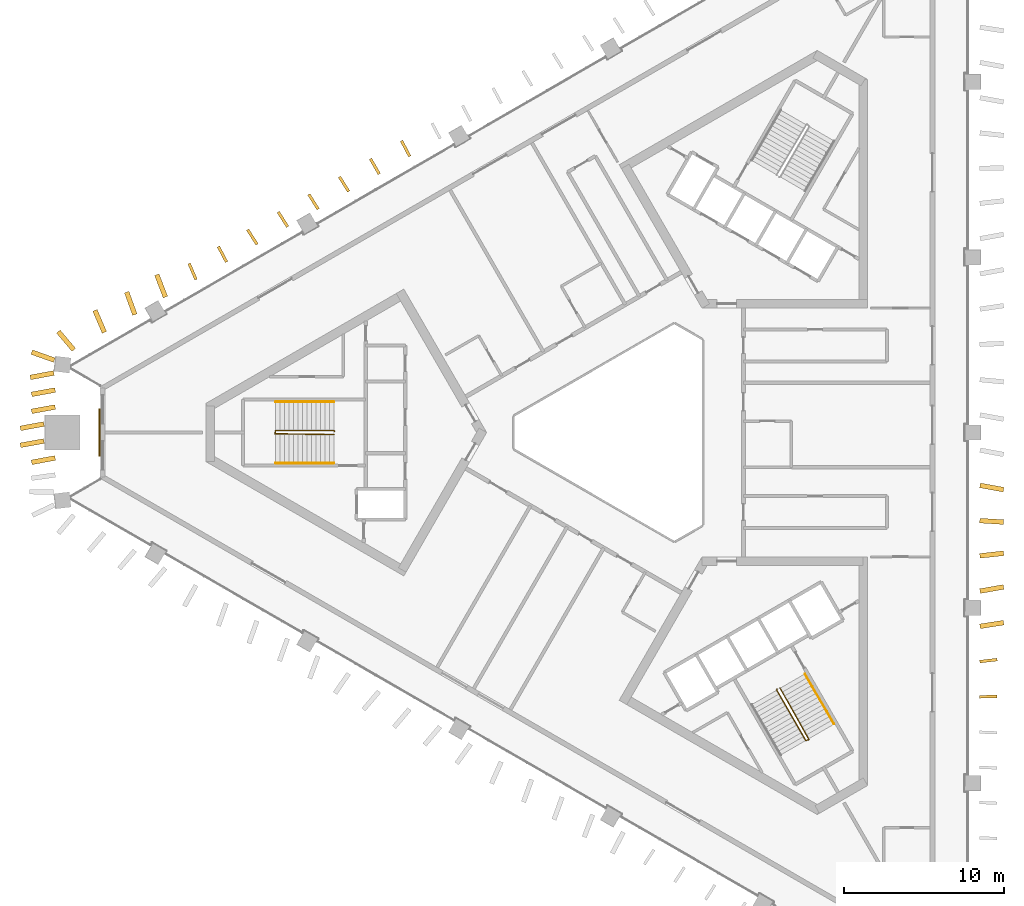
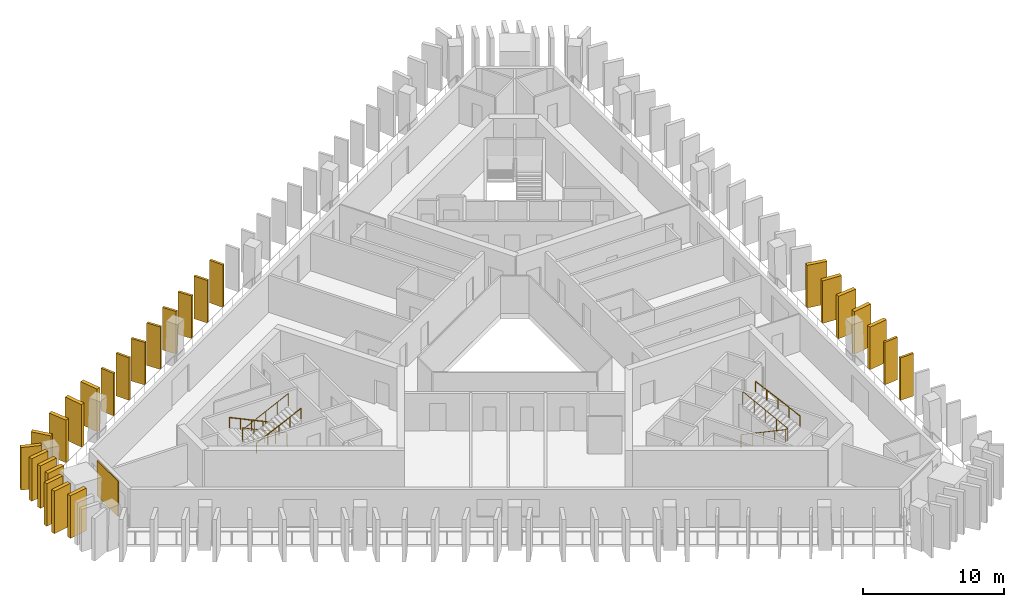
# One storey, part 8 of 10: 26 shading devices, 5 railings, 1 covering.
"""IFC4 building model written with IfcOpenShell, lengths in metres."""

from ifc_helpers import new_model, si_unit, direction, frame, frame_2d, origin, origin_2d, place, context, subcontext, project, spatial, rectangle, circle, extrude, material, layer, layer_set, type_object, element, save


model = new_model("IFC4")

# Units and contexts
model_context = context("Model", 3, precision=1e-05, world=origin(), true_north=direction((0.0, 1.0)))
body_context = subcontext(model_context, "Body", "Model", "MODEL_VIEW")
ifc_project = project(units=[si_unit("LENGTHUNIT", "METRE"), si_unit("AREAUNIT", "SQUARE_METRE"), si_unit("VOLUMEUNIT", "CUBIC_METRE"), si_unit("PLANEANGLEUNIT", "RADIAN"), si_unit("MASSUNIT", "GRAM", prefix="KILO")], contexts=[model_context])

# Site, building, storey
site_placement = place(None, origin())
site = spatial("IfcSite", under=ifc_project, at=site_placement, CompositionType="ELEMENT")
building_placement = place(site_placement, origin())
building = spatial("IfcBuilding", under=site, at=building_placement, Name="Jabali Bay Hotel Tower and Convention Centre", CompositionType="ELEMENT")
storey_placement = place(building_placement, frame((0.0, 0.0, 156.300048828125)))
storey = spatial("IfcBuildingStorey", under=building, at=storey_placement, Name="L37", CompositionType="ELEMENT", Elevation=156.300048828125)

# Shading devices
ifc_material_1 = material(Name="Precast concrete C60", Category="concrete")
ifc_layer_1 = layer(ifc_material_1, 0.179931640625)
ifc_layer_set_1 = layer_set([ifc_layer_1], Name="Precast concrete C60")
shading_device_type_1 = type_object("IfcShadingDeviceType", Name="Precast fin 3680 x 1100", PredefinedType="USERDEFINED", material=ifc_layer_set_1)
for number, where, z_axis, x_axis, name in (
    (1, (96.902099609375, 63.43115234375, 0.010009765625), (0.0, 0.0, 1.0), (0.999772925816, 0.021309547264, 0.0), "Fin L37 005"),
    (2, (96.910400390625, 65.640380859375, 0.010009765625), (0.0, 0.0, 1.0), (0.99357125103, 0.11320852056, 0.0), "Fin L37 006"),
):
    element("IfcShadingDevice", number, at=place(storey_placement, frame(where, z_axis=z_axis, x_axis=x_axis)), inside=storey, type_object=shading_device_type_1, Name=name, ObjectType="FIN", PredefinedType="USERDEFINED", context=body_context, shape_type="SweptSolid", body=[
        extrude(rectangle(XDim=1.099853515625, YDim=0.179931640625, at=frame_2d((0.5498046875, 0.0))), origin(), (0.0, 0.0, 1.0), 3.679931640625),
    ])
for number, where, z_axis, x_axis, name in (
    (3, (61.178466796875, 97.31201171875, 0.010009765625), (0.0, 0.0, 1.0), (-0.467867325032, 0.883798713604, 0.0), "Fin L37 048"),
    (4, (59.266845703125, 96.20458984375, 0.010009765625), (0.0, 0.0, 1.0), (-0.500458765049, 0.865760373594, 0.0), "Fin L37 049"),
    (5, (57.35205078125, 95.10302734375, 0.010009765625), (0.0, 0.0, 1.0), (-0.532012444027, 0.846736534821, 0.0), "Fin L37 050"),
):
    element("IfcShadingDevice", number, at=place(storey_placement, frame(where, z_axis=z_axis, x_axis=x_axis)), inside=storey, type_object=shading_device_type_1, Name=name, ObjectType="FIN", PredefinedType="USERDEFINED", context=body_context, shape_type="SweptSolid", body=[
        extrude(rectangle(XDim=1.10009765625, YDim=0.179931640625, at=frame_2d((0.550048828125, 0.0))), origin(), (0.0, 0.0, 1.0), 3.679931640625),
    ])
shading_device_1_placement = place(storey_placement, frame((55.438720703125, 93.998291015625, 0.010009765625), z_axis=(0.0, 0.0, 1.0), x_axis=(-0.532689641282, 0.846310667587, 0.0)))
element("IfcShadingDevice", 6, at=shading_device_1_placement, inside=storey, type_object=shading_device_type_1, Name="Fin L37 051", ObjectType="FIN", PredefinedType="USERDEFINED", context=body_context, shape_type="SweptSolid", body=[
    extrude(rectangle(XDim=1.099853515625, YDim=0.179931640625, at=frame_2d((0.5498046875, 0.0))), origin(), (0.0, 0.0, 1.0), 3.679931640625),
])
for number, where, z_axis, x_axis, name in (
    (7, (53.525390625, 92.89404296875, 0.010009765625), (0.0, 0.0, 1.0), (-0.535294932404, 0.844665220867, 0.0), "Fin L37 052"),
    (8, (51.61181640625, 91.7900390625, 0.010009765625), (0.0, 0.0, 1.0), (-0.542606994058, 0.839986696323, 0.0), "Fin L37 053"),
):
    element("IfcShadingDevice", number, at=place(storey_placement, frame(where, z_axis=z_axis, x_axis=x_axis)), inside=storey, type_object=shading_device_type_1, Name=name, ObjectType="FIN", PredefinedType="USERDEFINED", context=body_context, shape_type="SweptSolid", body=[
        extrude(rectangle(XDim=1.10009765625, YDim=0.179931640625, at=frame_2d((0.550048828125, 0.0))), origin(), (0.0, 0.0, 1.0), 3.679931640625),
    ])
for number, where, z_axis, x_axis, name in (
    (9, (49.69921875, 90.6845703125, 0.010009765625), (0.0, 0.0, 1.0), (-0.468132468211, 0.883658300593, 0.0), "Fin L37 054"),
    (10, (47.782470703125, 89.586181640625, 0.010009765625), (0.0, 0.0, 1.0), (-0.395525965419, 0.91845479512, 0.0), "Fin L37 055"),
):
    element("IfcShadingDevice", number, at=place(storey_placement, frame(where, z_axis=z_axis, x_axis=x_axis)), inside=storey, type_object=shading_device_type_1, Name=name, ObjectType="FIN", PredefinedType="USERDEFINED", context=body_context, shape_type="SweptSolid", body=[
        extrude(rectangle(XDim=1.099853515625, YDim=0.179931640625, at=frame_2d((0.5498046875, 0.0))), origin(), (0.0, 0.0, 1.0), 3.679931640625),
    ])
ifc_layer_2 = layer(ifc_material_1, 0.300048828125)
ifc_layer_set_2 = layer_set([ifc_layer_2], Name="Precast concrete C60")
shading_device_type_2 = type_object("IfcShadingDeviceType", Name="Precast fin 3680 x 1500", PredefinedType="USERDEFINED", material=ifc_layer_set_2)
shading_device_2_placement = place(storey_placement, frame((96.923095703125, 67.849609375, 0.010009765625), z_axis=(0.0, 0.0, 1.0), x_axis=(0.98807633551, 0.153964785602, 0.0)))
element("IfcShadingDevice", 11, at=shading_device_2_placement, inside=storey, type_object=shading_device_type_2, Name="Fin L37 007", ObjectType="FIN", PredefinedType="USERDEFINED", context=body_context, shape_type="SweptSolid", body=[
    extrude(rectangle(XDim=1.5, YDim=0.300048828125, at=frame_2d((0.75, 0.0))), origin(), (0.0, 0.0, 1.0), 3.679931640625),
])
shading_device_3_placement = place(storey_placement, frame((96.926025390625, 70.05859375, 0.010009765625), z_axis=(0.0, 0.0, 1.0), x_axis=(0.984894761505, 0.173154003014, 0.0)))
element("IfcShadingDevice", 12, at=shading_device_3_placement, inside=storey, type_object=shading_device_type_2, Name="Fin L37 008", ObjectType="FIN", PredefinedType="USERDEFINED", context=body_context, shape_type="SweptSolid", body=[
    extrude(rectangle(XDim=1.500244140625, YDim=0.300048828125, at=frame_2d((0.75, 0.0))), origin(), (0.0, 0.0, 1.0), 3.679931640625),
])
for number, where, z_axis, x_axis, name in (
    (13, (96.916259765625, 72.267822265625, 0.010009765625), (0.0, 0.0, 1.0), (0.994160416894, 0.107912304584, 0.0), "Fin L37 009"),
    (14, (96.909423828125, 74.47705078125, 0.010009765625), (0.0, 0.0, 1.0), (0.99806522432, -0.062175622259, 0.0), "Fin L37 010"),
    (15, (96.92724609375, 76.686279296875, 0.010009765625), (0.0, 0.0, 1.0), (0.983545395653, -0.180661159883, 0.0), "Fin L37 011"),
    (16, (45.86279296875, 88.49267578125, 0.010009765625), (0.0, 0.0, 1.0), (-0.358728210974, 0.933442055326, 0.0), "Fin L37 056"),
    (17, (43.9482421875, 87.390380859375, 0.010009765625), (0.0, 0.0, 1.0), (-0.341939069183, 0.9397221254, 0.0), "Fin L37 057"),
):
    element("IfcShadingDevice", number, at=place(storey_placement, frame(where, z_axis=z_axis, x_axis=x_axis)), inside=storey, type_object=shading_device_type_2, Name=name, ObjectType="FIN", PredefinedType="USERDEFINED", context=body_context, shape_type="SweptSolid", body=[
        extrude(rectangle(XDim=1.5, YDim=0.300048828125, at=frame_2d((0.75, 0.0))), origin(), (0.0, 0.0, 1.0), 3.679931640625),
    ])
shading_device_4_placement = place(storey_placement, frame((42.039306640625, 86.27880859375, 0.010009765625), z_axis=(0.0, 0.0, 1.0), x_axis=(-0.393762126999, 0.919212373362, 0.0)))
element("IfcShadingDevice", 18, at=shading_device_4_placement, inside=storey, type_object=shading_device_type_2, Name="Fin L37 058", ObjectType="FIN", PredefinedType="USERDEFINED", context=body_context, shape_type="SweptSolid", body=[
    extrude(rectangle(XDim=1.499755859375, YDim=0.300048828125, at=frame_2d((0.75, 0.0))), origin(), (0.0, 0.0, 1.0), 3.679931640625),
])
for number, where, z_axis, x_axis, name in (
    (19, (40.12158203125, 85.181884765625, 0.010009765625), (0.0, 0.0, 1.0), (-0.646518484103, 0.762898322002, 0.0), "Fin L37 059"),
    (20, (38.8720703125, 83.7275390625, 0.010009765625), (0.0, 0.0, 1.0), (-0.98351646372, -0.180818598576, 0.0), "Fin L37 060"),
    (21, (38.951171875, 82.66259765625, 0.010009765625), (0.0, 0.0, 1.0), (-0.98351646372, -0.180818598576, 0.0), "Fin L37 061"),
    (22, (38.951171875, 81.597412109375, 0.010009765625), (0.0, 0.0, 1.0), (-0.983545395653, -0.180661159883, 0.0), "Fin L37 062"),
    (23, (38.251953125, 80.532470703125, 0.010009765625), (0.0, 0.0, 1.0), (-0.98351646372, -0.180818598576, 0.0), "Fin L37 063"),
    (24, (38.251953125, 79.467529296875, 0.010009765625), (0.0, 0.0, 1.0), (-0.98351646372, -0.180818598576, 0.0), "Fin L37 064"),
    (25, (38.951171875, 78.402587890625, 0.010009765625), (0.0, 0.0, 1.0), (-0.98351646372, -0.180818598576, 0.0), "Fin L37 065"),
    (26, (38.89990234375, 84.5361328125, 0.010009765625), (0.0, 0.0, 1.0), (-0.942058177606, 0.335449534217, 0.0), "Fin L37 105"),
):
    element("IfcShadingDevice", number, at=place(storey_placement, frame(where, z_axis=z_axis, x_axis=x_axis)), inside=storey, type_object=shading_device_type_2, Name=name, ObjectType="FIN", PredefinedType="USERDEFINED", context=body_context, shape_type="SweptSolid", body=[
        extrude(rectangle(XDim=1.5, YDim=0.300048828125, at=frame_2d((0.75, 0.0))), origin(), (0.0, 0.0, 1.0), 3.679931640625),
    ])

# Covering
ifc_material_2 = material(Name="Precast concrete C40/50", Category="concrete")
ifc_layer_3 = layer(ifc_material_2, 0.080078125)
ifc_layer_set_3 = layer_set([ifc_layer_3], Name="Precast concrete C40/50")
covering_type = type_object("IfcCoveringType", Name="Relief panel 3000 x 3050", PredefinedType="CLADDING", material=ifc_layer_set_3)
covering_placement = place(storey_placement, frame((41.73828125, 80.0, 0.10009765625), z_axis=(0.0, 0.0, 1.0), x_axis=(0.0, 1.0, 0.0)))
element("IfcCovering", 27, at=covering_placement, inside=storey, type_object=covering_type, Name="Relief panel L37", PredefinedType="CLADDING", context=body_context, shape_type="SweptSolid", body=[
    extrude(rectangle(XDim=3.0, YDim=0.080078125, at=origin_2d()), origin(), (0.0, 0.0, 1.0), 3.050048828125),
])

# Railings
ifc_material_3 = material(Name="Steel Q355B", Category="steel")
railing_type_1 = type_object("IfcRailingType", Name="Stair guard 1100", PredefinedType="GUARDRAIL", material=ifc_material_3)
railing_1_placement = place(storey_placement, frame((56.469970703125, 80.074951171875, 0.0)))
element("IfcRailing", 28, at=railing_1_placement, inside=storey, type_object=railing_type_1, Name="L37 ST1 stair guard 1", PredefinedType="GUARDRAIL", context=body_context, shape_type="SweptSolid", body=[
    extrude(circle(Radius=0.02392578125, at=origin_2d()), frame((0.0, 0.0, 1.076171875), z_axis=(-0.333993628408, 0.333993628408, 0.881417331555), x_axis=(-0.707106781187, -0.707106781187, 0.0)), (0.0, 0.0, 1.0), 0.14990234375),
    extrude(circle(Radius=0.02392578125, at=origin_2d()), frame((-0.050048828125, 0.050048828125, 1.2080078125), z_axis=(-0.904350763662, 0.0, 0.426789990819), x_axis=(0.0, -1.0, 0.0)), (0.0, 0.0, 1.0), 4.02490234375),
    extrude(circle(Radius=0.02392578125, at=origin_2d()), frame((-3.68994140625, 0.050048828125, 2.92578125), z_axis=(-0.242814311512, -0.970072785993, 0.0), x_axis=(0.970072785993, -0.242814311512, 0.0)), (0.0, 0.0, 1.0), 0.2060546875),
    extrude(circle(Radius=0.02392578125, at=origin_2d()), frame((-3.739990234375, -0.14990234375, 2.92578125), z_axis=(0.893864111827, -0.012124000458, 0.448174026692), x_axis=(0.013562335953, 0.999908027292, 0.0)), (0.0, 0.0, 1.0), 4.128173828125),
    extrude(circle(Radius=0.02099609375, at=origin_2d()), origin(), (0.0, 0.0, 1.0), 1.052001953125),
    extrude(circle(Radius=0.02099609375, at=origin_2d()), frame((-0.050048828125, 0.050048828125, 0.132080078125)), (0.0, 0.0, 1.0), 1.052001953125),
    extrude(circle(Radius=0.02099609375, at=origin_2d()), frame((-0.9599609375, 0.050048828125, 0.5615234375)), (0.0, 0.0, 1.0), 1.052001953125),
    extrude(circle(Radius=0.02099609375, at=origin_2d()), frame((-1.8701171875, 0.050048828125, 0.990966796875)), (0.0, 0.0, 1.0), 1.052001953125),
    extrude(circle(Radius=0.02099609375, at=origin_2d()), frame((-2.780029296875, 0.050048828125, 1.42041015625)), (0.0, 0.0, 1.0), 1.052001953125),
    extrude(circle(Radius=0.02099609375, at=origin_2d()), frame((-3.68994140625, 0.050048828125, 1.849853515625)), (0.0, 0.0, 1.0), 1.052001953125),
    extrude(circle(Radius=0.02099609375, at=origin_2d()), frame((-3.739990234375, -0.14990234375, 1.849853515625)), (0.0, 0.0, 1.0), 1.052001953125),
    extrude(circle(Radius=0.02099609375, at=origin_2d()), frame((-2.8173828125, -0.162353515625, 2.3125)), (0.0, 0.0, 1.0), 1.052001953125),
    extrude(circle(Radius=0.02099609375, at=origin_2d()), frame((-1.89501953125, -0.1748046875, 2.77490234375)), (0.0, 0.0, 1.0), 1.052001953125),
    extrude(circle(Radius=0.02099609375, at=origin_2d()), frame((-0.97265625, -0.1875, 3.2373046875)), (0.0, 0.0, 1.0), 1.052001953125),
    extrude(circle(Radius=0.02099609375, at=origin_2d()), frame((-0.050048828125, -0.199951171875, 3.699951171875)), (0.0, 0.0, 1.0), 1.052001953125),
])
railing_2_placement = place(storey_placement, frame((84.199951171875, 63.9150390625, 0.0)))
element("IfcRailing", 29, at=railing_2_placement, inside=storey, type_object=railing_type_1, Name="L37 ST3 stair guard 1", PredefinedType="GUARDRAIL", context=body_context, shape_type="SweptSolid", body=[
    extrude(circle(Radius=0.02392578125, at=origin_2d()), frame((0.0, 0.0, 1.076171875), z_axis=(-0.122196845461, -0.456201556387, 0.881446578591), x_axis=(0.965948051503, -0.258736085224, 0.0)), (0.0, 0.0, 1.0), 0.14990234375),
    extrude(circle(Radius=0.02392578125, at=origin_2d()), frame((-0.018310546875, -0.068359375, 1.2080078125), z_axis=(0.452190331055, -0.783190014029, 0.426775475427), x_axis=(0.866018046521, 0.500012742938, 0.0)), (0.0, 0.0, 1.0), 4.02490234375),
    extrude(circle(Radius=0.02392578125, at=origin_2d()), frame((1.8017578125, -3.220703125, 2.92578125), z_axis=(0.96121063429, 0.275815366736, 0.0), x_axis=(-0.275815366736, 0.96121063429, 0.0)), (0.0, 0.0, 1.0), 0.206298828125),
    extrude(circle(Radius=0.02392578125, at=origin_2d()), frame((2.0, -3.163818359375, 2.92578125), z_axis=(-0.436470229993, 0.780146179382, 0.448180406895), x_axis=(-0.872702246529, -0.488252792008, 0.0)), (0.0, 0.0, 1.0), 4.1279296875),
    extrude(circle(Radius=0.02099609375, at=origin_2d()), origin(), (0.0, 0.0, 1.0), 1.052001953125),
    extrude(circle(Radius=0.02099609375, at=origin_2d()), frame((-0.018310546875, -0.068359375, 0.132080078125)), (0.0, 0.0, 1.0), 1.052001953125),
    extrude(circle(Radius=0.02099609375, at=origin_2d()), frame((0.436767578125, -0.8564453125, 0.5615234375)), (0.0, 0.0, 1.0), 1.052001953125),
    extrude(circle(Radius=0.02099609375, at=origin_2d()), frame((0.8916015625, -1.64453125, 0.990966796875)), (0.0, 0.0, 1.0), 1.052001953125),
    extrude(circle(Radius=0.02099609375, at=origin_2d()), frame((1.3466796875, -2.4326171875, 1.42041015625)), (0.0, 0.0, 1.0), 1.052001953125),
    extrude(circle(Radius=0.02099609375, at=origin_2d()), frame((1.8017578125, -3.220703125, 1.849853515625)), (0.0, 0.0, 1.0), 1.052001953125),
    extrude(circle(Radius=0.02099609375, at=origin_2d()), frame((2.0, -3.163818359375, 1.849853515625)), (0.0, 0.0, 1.0), 1.052001953125),
    extrude(circle(Radius=0.02099609375, at=origin_2d()), frame((1.549560546875, -2.358642578125, 2.3125)), (0.0, 0.0, 1.0), 1.052001953125),
    extrude(circle(Radius=0.02099609375, at=origin_2d()), frame((1.09912109375, -1.5537109375, 2.77490234375)), (0.0, 0.0, 1.0), 1.052001953125),
    extrude(circle(Radius=0.02099609375, at=origin_2d()), frame((0.648681640625, -0.74853515625, 3.2373046875)), (0.0, 0.0, 1.0), 1.052001953125),
    extrude(circle(Radius=0.02099609375, at=origin_2d()), frame((0.1982421875, 0.056640625, 3.699951171875)), (0.0, 0.0, 1.0), 1.052001953125),
])
railing_type_2 = type_object("IfcRailingType", Name="Stair handrail 900", PredefinedType="HANDRAIL", material=ifc_material_3)
railing_3_placement = place(storey_placement, frame((56.419921875, 81.925048828125, 0.132080078125)))
element("IfcRailing", 30, at=railing_3_placement, inside=storey, type_object=railing_type_2, Name="L37 ST1 stair handrail 1", PredefinedType="HANDRAIL", context=body_context, shape_type="SweptSolid", body=[
    extrude(circle(Radius=0.02392578125, at=origin_2d()), frame((0.0, 0.0, 0.8759765625), z_axis=(-0.904350763662, 0.0, 0.426789990819), x_axis=(0.0, -1.0, 0.0)), (0.0, 0.0, 1.0), 4.02490234375),
    extrude(circle(Radius=0.02099609375, at=origin_2d()), origin(), (0.0, 0.0, 1.0), 0.851806640625),
    extrude(circle(Radius=0.02099609375, at=origin_2d()), frame((-0.909912109375, 0.0, 0.429443359375)), (0.0, 0.0, 1.0), 0.851806640625),
    extrude(circle(Radius=0.02099609375, at=origin_2d()), frame((-1.81982421875, 0.0, 0.85888671875)), (0.0, 0.0, 1.0), 0.851806640625),
    extrude(circle(Radius=0.02099609375, at=origin_2d()), frame((-2.72998046875, 0.0, 1.288330078125)), (0.0, 0.0, 1.0), 0.851806640625),
    extrude(circle(Radius=0.02099609375, at=origin_2d()), frame((-3.639892578125, 0.0, 1.7177734375)), (0.0, 0.0, 1.0), 0.851806640625),
])
railing_4_placement = place(storey_placement, frame((52.780029296875, 78.074951171875, 1.982177734375)))
element("IfcRailing", 31, at=railing_4_placement, inside=storey, type_object=railing_type_2, Name="L37 ST1 stair handrail 2", PredefinedType="HANDRAIL", context=body_context, shape_type="SweptSolid", body=[
    extrude(circle(Radius=0.02392578125, at=origin_2d()), frame((0.0, 0.0, 0.8759765625), z_axis=(0.904350763662, 0.0, 0.426789990819), x_axis=(0.0, 1.0, 0.0)), (0.0, 0.0, 1.0), 4.02490234375),
    extrude(circle(Radius=0.02099609375, at=origin_2d()), origin(), (0.0, 0.0, 1.0), 0.851806640625),
    extrude(circle(Radius=0.02099609375, at=origin_2d()), frame((0.909912109375, 0.0, 0.429443359375)), (0.0, 0.0, 1.0), 0.851806640625),
    extrude(circle(Radius=0.02099609375, at=origin_2d()), frame((1.81982421875, 0.0, 0.85888671875)), (0.0, 0.0, 1.0), 0.851806640625),
    extrude(circle(Radius=0.02099609375, at=origin_2d()), frame((2.72998046875, 0.0, 1.288330078125)), (0.0, 0.0, 1.0), 0.851806640625),
    extrude(circle(Radius=0.02099609375, at=origin_2d()), frame((3.639892578125, 0.0, 1.7177734375)), (0.0, 0.0, 1.0), 0.851806640625),
])
railing_5_placement = place(storey_placement, frame((87.777099609375, 61.719482421875, 1.982177734375)))
element("IfcRailing", 32, at=railing_5_placement, inside=storey, type_object=railing_type_2, Name="L37 ST3 stair handrail 2", PredefinedType="HANDRAIL", context=body_context, shape_type="SweptSolid", body=[
    extrude(circle(Radius=0.02392578125, at=origin_2d()), frame((0.0, 0.0, 0.8759765625), z_axis=(-0.452190331055, 0.783190014029, 0.426775475427), x_axis=(-0.866018046521, -0.500012742938, 0.0)), (0.0, 0.0, 1.0), 4.02490234375),
    extrude(circle(Radius=0.02099609375, at=origin_2d()), origin(), (0.0, 0.0, 1.0), 0.851806640625),
    extrude(circle(Radius=0.02099609375, at=origin_2d()), frame((-0.455078125, 0.7880859375, 0.429443359375)), (0.0, 0.0, 1.0), 0.851806640625),
    extrude(circle(Radius=0.02099609375, at=origin_2d()), frame((-0.91015625, 1.576171875, 0.85888671875)), (0.0, 0.0, 1.0), 0.851806640625),
    extrude(circle(Radius=0.02099609375, at=origin_2d()), frame((-1.364990234375, 2.3642578125, 1.288330078125)), (0.0, 0.0, 1.0), 0.851806640625),
    extrude(circle(Radius=0.02099609375, at=origin_2d()), frame((-1.820068359375, 3.15234375, 1.7177734375)), (0.0, 0.0, 1.0), 0.851806640625),
])

save(model, "model.ifc")
